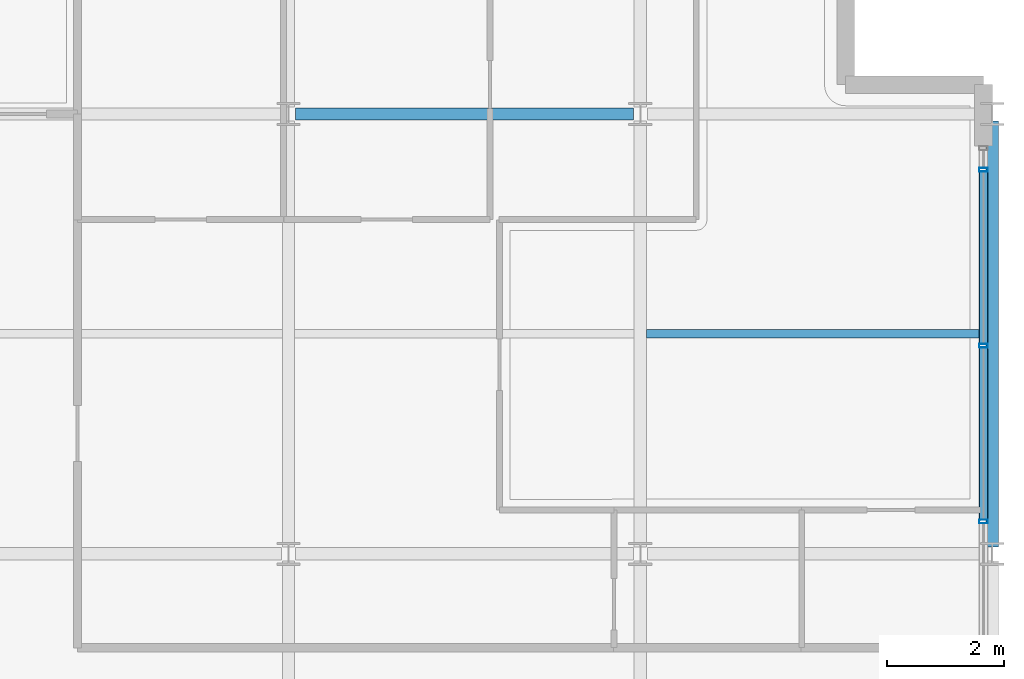
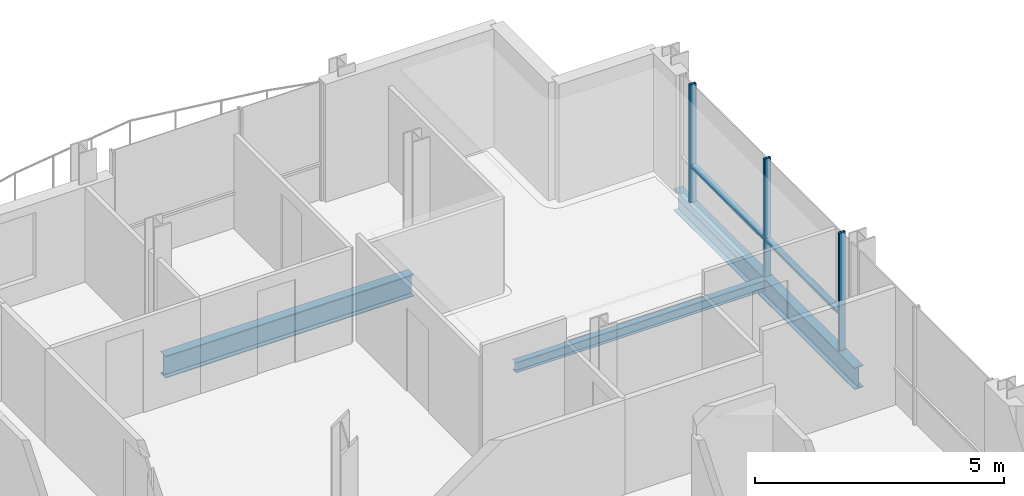
# One storey, part 22 of 35: 5 members, 3 beams, 1 element without a shape of its own.
"""IFC4 building model written with IfcOpenShell, lengths in metres."""

from ifc_helpers import new_model, si_unit, direction, frame, origin, origin_2d, place, context, subcontext, project, spatial, hollow_rectangle, i_section, extrude, material, layer, layer_set, material_profile, profile_set, type_object, element, aggregate, save


model = new_model("IFC4")

# Units and contexts
model_context = context("Model", 3, precision=1e-05, world=origin(), true_north=direction((0.0, 1.0)))
body_context = subcontext(model_context, "Body", "Model", "MODEL_VIEW")
ifc_project = project(units=[si_unit("LENGTHUNIT", "METRE"), si_unit("AREAUNIT", "SQUARE_METRE"), si_unit("VOLUMEUNIT", "CUBIC_METRE"), si_unit("PLANEANGLEUNIT", "RADIAN"), si_unit("MASSUNIT", "GRAM", prefix="KILO")], contexts=[model_context])

# Site, building, storey
site_placement = place(None, origin())
site = spatial("IfcSite", under=ifc_project, at=site_placement, CompositionType="ELEMENT")
building_placement = place(site_placement, origin())
building = spatial("IfcBuilding", under=site, at=building_placement, Name="Brevholm Reach", CompositionType="ELEMENT")
storey_placement = place(building_placement, frame((0.0, 0.0, 183.199951171875)))
storey = spatial("IfcBuildingStorey", under=building, at=storey_placement, Name="L55", CompositionType="ELEMENT", Elevation=183.199951171875)

# Beams
ifc_material_1 = material(Name="Structural Steel S355J2", Category="steel")
ifc_material_profile_1 = material_profile(ifc_material_1, i_section(OverallWidth=0.14599609375, OverallDepth=0.25146484375, WebThickness=0.006103515625, FlangeThickness=0.008544921875, FilletRadius=0.007568359375, at=origin_2d()), Name="UKB 254x146x31")
ifc_profile_set_1 = profile_set([ifc_material_profile_1], Name="Structural Steel S355J2")
beam_type_1 = type_object("IfcBeamType", Name="BM-B254", PredefinedType="BEAM", material=ifc_profile_set_1)
beam_1_placement = place(storey_placement, frame((54.10546875, 19.75, -0.335693359375), z_axis=(1.0, 0.0, 0.0), x_axis=(0.0, 1.0, 0.0)))
element("IfcBeam", 1, at=beam_1_placement, inside=storey, type_object=beam_type_1, Name="L55 Composite Secondary Floor Beam", PredefinedType="BEAM", context=body_context, shape_type="SweptSolid", body=[
    extrude(i_section(OverallWidth=0.14599609375, OverallDepth=0.25146484375, WebThickness=0.006103515625, FlangeThickness=0.008544921875, FilletRadius=0.007568359375, at=origin_2d()), origin(), (0.0, 0.0, 1.0), 5.789794921875),
])
ifc_material_2 = material(Name="Structural Steel S355J2", Category="steel")
ifc_material_profile_2 = material_profile(ifc_material_2, i_section(OverallWidth=0.209228515625, OverallDepth=0.533203125, WebThickness=0.010009765625, FlangeThickness=0.015625, FilletRadius=0.0126953125, at=origin_2d()), Name="UKB 533x210x92")
ifc_profile_set_2 = profile_set([ifc_material_profile_2], Name="Structural Steel S355J2")
beam_type_2 = type_object("IfcBeamType", Name="BM-SP533", PredefinedType="SPANDREL", material=ifc_profile_set_2)
beam_2_placement = place(storey_placement, frame((60.0, 16.1201171875, -0.4765625), z_axis=(0.0, 1.0, 0.0), x_axis=(-1.0, 0.0, 0.0)))
element("IfcBeam", 2, at=beam_2_placement, inside=storey, type_object=beam_type_2, Name="L55 SP-02 Framing Beam", PredefinedType="SPANDREL", context=body_context, shape_type="SweptSolid", body=[
    extrude(i_section(OverallWidth=0.209228515625, OverallDepth=0.533203125, WebThickness=0.010009765625, FlangeThickness=0.015625, FilletRadius=0.0126953125, at=origin_2d()), origin(), (0.0, 0.0, 1.0), 7.259765625),
])
ifc_material_3 = material(Name="Structural Steel S355J2", Category="steel")
ifc_material_profile_3 = material_profile(ifc_material_3, i_section(OverallWidth=0.210693359375, OverallDepth=0.53955078125, WebThickness=0.01171875, FlangeThickness=0.018798828125, FilletRadius=0.0126953125, at=origin_2d()), Name="UKB 533x210x109")
ifc_profile_set_3 = profile_set([ifc_material_profile_3], Name="Structural Steel S355J2")
beam_type_3 = type_object("IfcBeamType", Name="BM-SP539", PredefinedType="SPANDREL", material=ifc_profile_set_3)
beam_3_placement = place(storey_placement, frame((48.1201171875, 23.5, -0.479736328125), z_axis=(1.0, 0.0, 0.0), x_axis=(0.0, 1.0, 0.0)))
element("IfcBeam", 3, at=beam_3_placement, inside=storey, type_object=beam_type_3, Name="L55 SP-01B Framing Beam", PredefinedType="SPANDREL", context=body_context, shape_type="SweptSolid", body=[
    extrude(i_section(OverallWidth=0.210693359375, OverallDepth=0.53955078125, WebThickness=0.01171875, FlangeThickness=0.018798828125, FilletRadius=0.0126953125, at=origin_2d()), origin(), (0.0, 0.0, 1.0), 5.759765625),
])

# Curtain wall, members
ifc_material_4 = material(Name="Dark Anodised Aluminium 6063-T6 and Solar-Control Glass", Category="aluminium")
ifc_layer = layer(ifc_material_4, 0.14990234375)
ifc_layer_set = layer_set([ifc_layer], Name="Dark Anodised Aluminium 6063-T6 and Solar-Control Glass")
curtain_wall_type = type_object("IfcCurtainWallType", Name="CW-01", PredefinedType="NOTDEFINED", material=ifc_layer_set)
curtain_wall_placement = place(storey_placement, origin())
curtain_wall = element("IfcCurtainWall", 4, at=curtain_wall_placement, inside=storey, type_object=curtain_wall_type, Name="L55 Curtain Wall CW-01", PredefinedType="NOTDEFINED")
ifc_material_5 = material(Name="Dark Anodised Aluminium 6063-T6", Category="aluminium")
ifc_material_profile_4 = material_profile(ifc_material_5, hollow_rectangle(XDim=0.06494140625, YDim=0.14990234375, WallThickness=0.0048828125, InnerFilletRadius=0.0048828125, OuterFilletRadius=0.010009765625, at=origin_2d()), Name="RHS 150x65x5")
ifc_profile_set_4 = profile_set([ifc_material_profile_4], Name="Dark Anodised Aluminium 6063-T6")
member_type_1 = type_object("IfcMemberType", Name="CWM-150", PredefinedType="MULLION", material=ifc_profile_set_4)
member_1_placement = place(storey_placement, frame((59.85009765625, 16.550048828125, 0.0), z_axis=(0.0, 0.0, 1.0), x_axis=(0.0, 1.0, 0.0)))
member_1 = element("IfcMember", 5, at=member_1_placement, type_object=member_type_1, Name="CM-150 Mullion 3", PredefinedType="MULLION", context=body_context, shape_type="SweptSolid", body=[
    extrude(hollow_rectangle(XDim=0.06494140625, YDim=0.14990234375, WallThickness=0.0048828125, InnerFilletRadius=0.0048828125, OuterFilletRadius=0.010009765625, at=origin_2d()), origin(), (0.0, 0.0, 1.0), 2.89013671875),
])
member_2_placement = place(storey_placement, frame((59.85009765625, 19.550048828125, 0.0), z_axis=(0.0, 0.0, 1.0), x_axis=(0.0, 1.0, 0.0)))
member_2 = element("IfcMember", 6, at=member_2_placement, type_object=member_type_1, Name="CM-150 Mullion 4", PredefinedType="MULLION", context=body_context, shape_type="SweptSolid", body=[
    extrude(hollow_rectangle(XDim=0.06494140625, YDim=0.14990234375, WallThickness=0.0048828125, InnerFilletRadius=0.0048828125, OuterFilletRadius=0.010009765625, at=origin_2d()), origin(), (0.0, 0.0, 1.0), 2.89013671875),
])
member_3_placement = place(storey_placement, frame((59.85009765625, 22.550048828125, 0.0), z_axis=(0.0, 0.0, 1.0), x_axis=(0.0, 1.0, 0.0)))
member_3 = element("IfcMember", 7, at=member_3_placement, type_object=member_type_1, Name="CM-150 Mullion 5", PredefinedType="MULLION", context=body_context, shape_type="SweptSolid", body=[
    extrude(hollow_rectangle(XDim=0.06494140625, YDim=0.14990234375, WallThickness=0.0048828125, InnerFilletRadius=0.0048828125, OuterFilletRadius=0.010009765625, at=origin_2d()), origin(), (0.0, 0.0, 1.0), 2.89013671875),
])
ifc_material_6 = material(Name="Dark Anodised Aluminium 6063-T6", Category="aluminium")
ifc_material_profile_5 = material_profile(ifc_material_6, hollow_rectangle(XDim=0.06494140625, YDim=0.14990234375, WallThickness=0.0048828125, InnerFilletRadius=0.0048828125, OuterFilletRadius=0.010009765625, at=origin_2d()), Name="RHS 150x65x5")
ifc_profile_set_5 = profile_set([ifc_material_profile_5], Name="Dark Anodised Aluminium 6063-T6")
member_type_2 = type_object("IfcMemberType", Name="CWT-150", PredefinedType="NOTDEFINED", material=ifc_profile_set_5)
member_4_placement = place(storey_placement, frame((59.85009765625, 16.58251953125, 0.900146484375), z_axis=(0.0, 1.0, 0.0), x_axis=(0.0, 0.0, 1.0)))
member_4 = element("IfcMember", 8, at=member_4_placement, type_object=member_type_2, Name="CT-150 Transom 3.1", ObjectType="TRANSOM", PredefinedType="USERDEFINED", context=body_context, shape_type="SweptSolid", body=[
    extrude(hollow_rectangle(XDim=0.06494140625, YDim=0.14990234375, WallThickness=0.0048828125, InnerFilletRadius=0.0048828125, OuterFilletRadius=0.010009765625, at=origin_2d()), origin(), (0.0, 0.0, 1.0), 2.93505859375),
])
member_5_placement = place(storey_placement, frame((59.85009765625, 19.58251953125, 0.900146484375), z_axis=(0.0, 1.0, 0.0), x_axis=(0.0, 0.0, 1.0)))
member_5 = element("IfcMember", 9, at=member_5_placement, type_object=member_type_2, Name="CT-150 Transom 4.1", ObjectType="TRANSOM", PredefinedType="USERDEFINED", context=body_context, shape_type="SweptSolid", body=[
    extrude(hollow_rectangle(XDim=0.06494140625, YDim=0.14990234375, WallThickness=0.0048828125, InnerFilletRadius=0.0048828125, OuterFilletRadius=0.010009765625, at=origin_2d()), origin(), (0.0, 0.0, 1.0), 2.93505859375),
])
aggregate(curtain_wall, [member_1, member_2, member_3, member_4, member_5])

save(model, "model.ifc")
